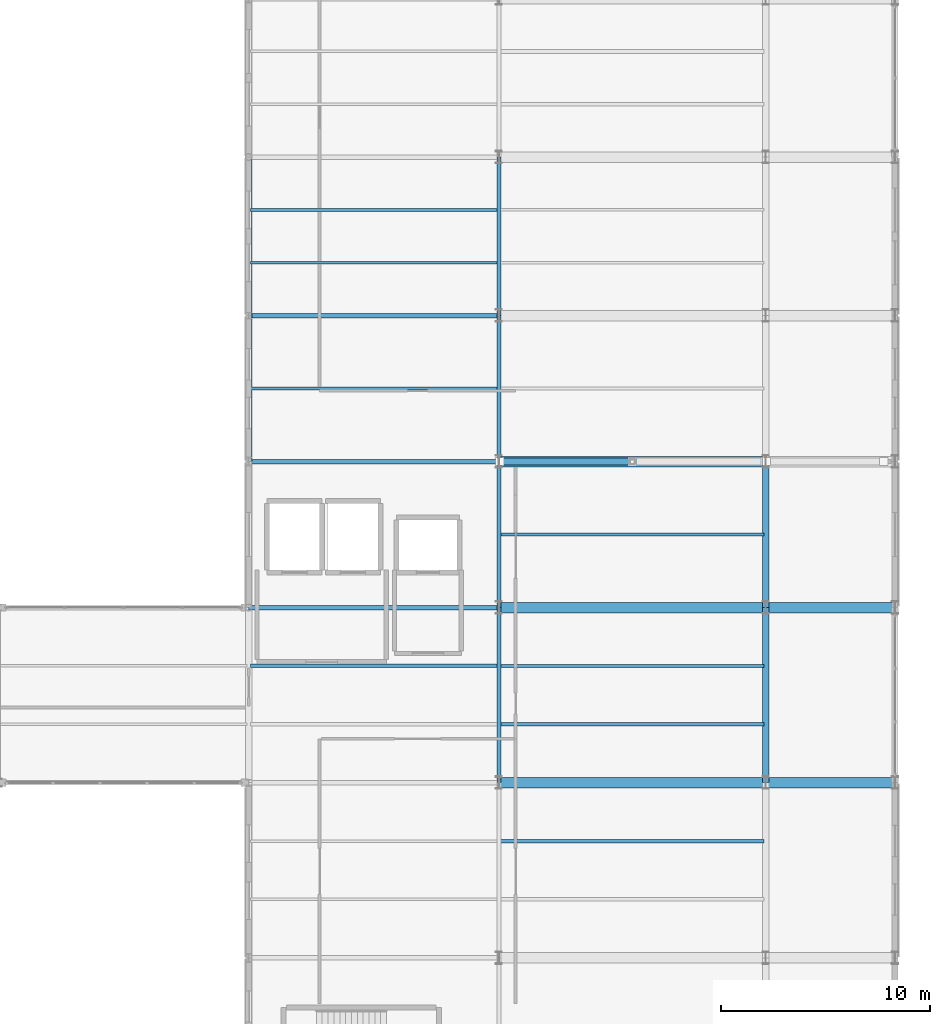
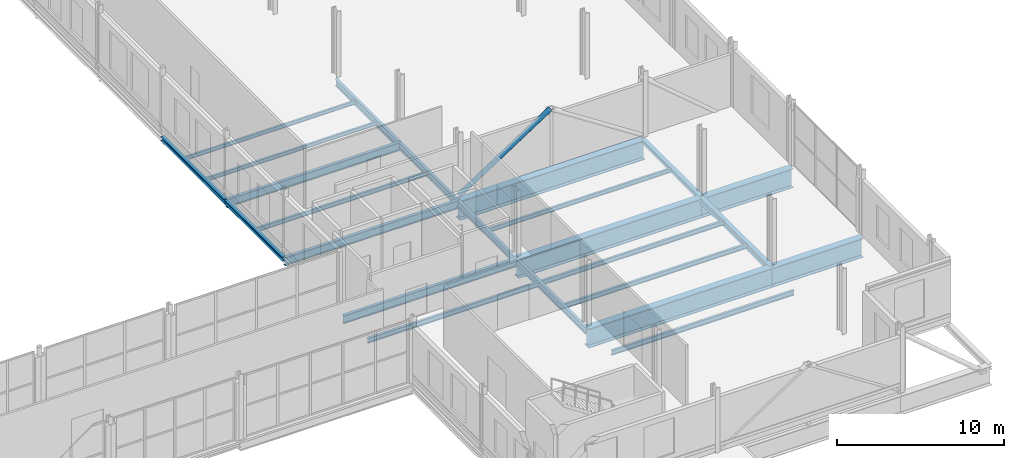
# One storey, part 70 of 120: 24 beams, 1 member.
"""IFC4 building model written with IfcOpenShell, lengths in metres."""

from ifc_helpers import new_model, si_unit, direction, frame, origin, origin_2d, place, context, subcontext, project, spatial, hollow_circle, i_section, extrude, material, material_profile, profile_set, type_object, element, save


model = new_model("IFC4")

# Units and contexts
model_context = context("Model", 3, precision=1e-05, world=origin(), true_north=direction((0.0, 1.0)))
body_context = subcontext(model_context, "Body", "Model", "MODEL_VIEW")
ifc_project = project(units=[si_unit("LENGTHUNIT", "METRE"), si_unit("AREAUNIT", "SQUARE_METRE"), si_unit("VOLUMEUNIT", "CUBIC_METRE"), si_unit("PLANEANGLEUNIT", "RADIAN"), si_unit("MASSUNIT", "GRAM", prefix="KILO")], contexts=[model_context])

# Site, building, storey
site_placement = place(None, origin())
site = spatial("IfcSite", under=ifc_project, at=site_placement, CompositionType="ELEMENT")
building_placement = place(site_placement, origin())
building = spatial("IfcBuilding", under=site, at=building_placement, Name="Vekula Escarpment Museum", CompositionType="ELEMENT")
storey_placement = place(building_placement, frame((0.0, 0.0, 13.199951171875)))
storey = spatial("IfcBuildingStorey", under=building, at=storey_placement, Name="L03", CompositionType="ELEMENT", Elevation=13.199951171875)

# Beams
ifc_material_1 = material(Name="Steel S355", Category="steel")
ifc_material_profile_1 = material_profile(ifc_material_1, i_section(OverallWidth=0.5, OverallDepth=1.39990234375, WebThickness=0.02392578125, FlangeThickness=0.0400390625, FilletRadius=0.02392578125, at=origin_2d()), Name="WPG 1400x500")
ifc_profile_set_1 = profile_set([ifc_material_profile_1], Name="Steel S355")
beam_type_1 = type_object("IfcBeamType", Name="BM-CUMBA-GIRD", PredefinedType="BEAM", material=ifc_profile_set_1)
for number, where, z_axis, x_axis, name in (
    (1, (179.0, 68.0, -0.97998046875), (1.0, 0.0, 0.0), (0.0, 1.0, 0.0), "Beam X L03 1374"),
    (2, (179.0, 76.39990234375, -0.97998046875), (1.0, 0.0, 0.0), (0.0, 1.0, 0.0), "Beam X L03 1396"),
    (3, (179.0, 83.39990234375, -0.97998046875), (1.0, 0.0, 0.0), (0.0, 1.0, 0.0), "Beam X L03 1414"),
):
    element("IfcBeam", number, at=place(storey_placement, frame(where, z_axis=z_axis, x_axis=x_axis)), inside=storey, type_object=beam_type_1, Name=name, PredefinedType="BEAM", context=body_context, shape_type="SweptSolid", body=[
        extrude(i_section(OverallWidth=0.5, OverallDepth=1.39990234375, WebThickness=0.02392578125, FlangeThickness=0.0400390625, FilletRadius=0.02392578125, at=origin_2d()), origin(), (0.0, 0.0, 1.0), 12.800048828125),
    ])
for number, where, z_axis, x_axis, name in (
    (4, (191.800048828125, 68.0, -0.97998046875), (1.0, 0.0, 0.0), (0.0, 1.0, 0.0), "Cumba Cantilever Transfer Girder L03 2365"),
    (5, (191.800048828125, 76.39990234375, -0.97998046875), (1.0, 0.0, 0.0), (0.0, 1.0, 0.0), "Cumba Cantilever Transfer Girder L03 2366"),
):
    element("IfcBeam", number, at=place(storey_placement, frame(where, z_axis=z_axis, x_axis=x_axis)), inside=storey, type_object=beam_type_1, Name=name, PredefinedType="BEAM", context=body_context, shape_type="SweptSolid", body=[
        extrude(i_section(OverallWidth=0.5, OverallDepth=1.39990234375, WebThickness=0.02392578125, FlangeThickness=0.0400390625, FilletRadius=0.02392578125, at=origin_2d()), origin(), (0.0, 0.0, 1.0), 6.199951171875),
    ])
ifc_material_2 = material(Name="Steel S355", Category="steel")
ifc_material_profile_2 = material_profile(ifc_material_2, i_section(OverallWidth=0.199951171875, OverallDepth=0.5, WebThickness=0.01025390625, FlangeThickness=0.01611328125, FilletRadius=0.02099609375, at=origin_2d()), Name="IPE 500")
ifc_profile_set_2 = profile_set([ifc_material_profile_2], Name="Steel S355")
beam_type_2 = type_object("IfcBeamType", Name="BM-GIRD-IPE500", PredefinedType="BEAM", material=ifc_profile_set_2)
beam_1_placement = place(storey_placement, frame((179.0, 68.0, -0.530029296875), z_axis=(0.0, 1.0, 0.0), x_axis=(-1.0, 0.0, 0.0)))
element("IfcBeam", 6, at=beam_1_placement, inside=storey, type_object=beam_type_2, Name="Beam Y L03 1664", PredefinedType="BEAM", context=body_context, shape_type="SweptSolid", body=[
    extrude(i_section(OverallWidth=0.199951171875, OverallDepth=0.5, WebThickness=0.01025390625, FlangeThickness=0.01611328125, FilletRadius=0.02099609375, at=origin_2d()), origin(), (0.0, 0.0, 1.0), 8.39990234375),
])
for number, where, z_axis, x_axis, name in (
    (7, (179.0, 76.39990234375, -0.530029296875), (0.0, 1.0, 0.0), (-1.0, 0.0, 0.0), "Beam Y L03 1665"),
    (8, (179.0, 83.39990234375, -0.530029296875), (0.0, 1.0, 0.0), (-1.0, 0.0, 0.0), "Beam Y L03 1666"),
):
    element("IfcBeam", number, at=place(storey_placement, frame(where, z_axis=z_axis, x_axis=x_axis)), inside=storey, type_object=beam_type_2, Name=name, PredefinedType="BEAM", context=body_context, shape_type="SweptSolid", body=[
        extrude(i_section(OverallWidth=0.199951171875, OverallDepth=0.5, WebThickness=0.01025390625, FlangeThickness=0.01611328125, FilletRadius=0.02099609375, at=origin_2d()), origin(), (0.0, 0.0, 1.0), 7.0),
    ])
beam_2_placement = place(storey_placement, frame((179.0, 90.39990234375, -0.530029296875), z_axis=(0.0, 1.0, 0.0), x_axis=(-1.0, 0.0, 0.0)))
element("IfcBeam", 9, at=beam_2_placement, inside=storey, type_object=beam_type_2, Name="Beam Y L03 1667", PredefinedType="BEAM", context=body_context, shape_type="SweptSolid", body=[
    extrude(i_section(OverallWidth=0.199951171875, OverallDepth=0.5, WebThickness=0.01025390625, FlangeThickness=0.01611328125, FilletRadius=0.02099609375, at=origin_2d()), origin(), (0.0, 0.0, 1.0), 7.60009765625),
])
ifc_material_3 = material(Name="Steel S355", Category="steel")
ifc_material_profile_3 = material_profile(ifc_material_3, i_section(OverallWidth=0.219970703125, OverallDepth=0.60009765625, WebThickness=0.011962890625, FlangeThickness=0.01904296875, FilletRadius=0.02392578125, at=origin_2d()), Name="IPE 600")
ifc_profile_set_3 = profile_set([ifc_material_profile_3], Name="Steel S355")
beam_type_3 = type_object("IfcBeamType", Name="BM-GIRD-IPE600", PredefinedType="BEAM", material=ifc_profile_set_3)
for number, where, z_axis, x_axis, name in (
    (10, (167.0, 76.39990234375, -0.579833984375), (1.0, 0.0, 0.0), (0.0, 1.0, 0.0), "Beam X L03 1395"),
    (11, (167.0, 83.39990234375, -0.579833984375), (1.0, 0.0, 0.0), (0.0, 1.0, 0.0), "Beam X L03 1413"),
    (12, (167.0, 90.39990234375, -0.579833984375), (1.0, 0.0, 0.0), (0.0, 1.0, 0.0), "Beam X L03 1423"),
):
    element("IfcBeam", number, at=place(storey_placement, frame(where, z_axis=z_axis, x_axis=x_axis)), inside=storey, type_object=beam_type_3, Name=name, PredefinedType="BEAM", context=body_context, shape_type="SweptSolid", body=[
        extrude(i_section(OverallWidth=0.219970703125, OverallDepth=0.60009765625, WebThickness=0.011962890625, FlangeThickness=0.01904296875, FilletRadius=0.02392578125, at=origin_2d()), origin(), (0.0, 0.0, 1.0), 12.0),
    ])
ifc_material_4 = material(Name="Steel S355", Category="steel")
ifc_material_profile_4 = material_profile(ifc_material_4, i_section(OverallWidth=0.135009765625, OverallDepth=0.27001953125, WebThickness=0.006591796875, FlangeThickness=0.01025390625, FilletRadius=0.014892578125, at=origin_2d()), Name="IPE 270")
ifc_profile_set_4 = profile_set([ifc_material_profile_4], Name="Steel S355")
beam_type_4 = type_object("IfcBeamType", Name="BM-JST-IPE270", PredefinedType="JOIST", material=ifc_profile_set_4)
for number, where, z_axis, x_axis, name in (
    (13, (167.090087890625, 92.933349609375, -0.4150390625), (1.0, 0.0, 0.0), (0.0, 1.0, 0.0), "Secondary Joist L03 1106"),
    (14, (167.090087890625, 95.466796875, -0.4150390625), (1.0, 0.0, 0.0), (0.0, 1.0, 0.0), "Secondary Joist L03 1107"),
):
    element("IfcBeam", number, at=place(storey_placement, frame(where, z_axis=z_axis, x_axis=x_axis)), inside=storey, type_object=beam_type_4, Name=name, PredefinedType="JOIST", context=body_context, shape_type="SweptSolid", body=[
        extrude(i_section(OverallWidth=0.135009765625, OverallDepth=0.27001953125, WebThickness=0.006591796875, FlangeThickness=0.01025390625, FilletRadius=0.014892578125, at=origin_2d()), origin(), (0.0, 0.0, 1.0), 11.81982421875),
    ])
ifc_material_5 = material(Name="Steel S355", Category="steel")
ifc_material_profile_5 = material_profile(ifc_material_5, i_section(OverallWidth=0.14990234375, OverallDepth=0.300048828125, WebThickness=0.007080078125, FlangeThickness=0.0107421875, FilletRadius=0.014892578125, at=origin_2d()), Name="IPE 300")
ifc_profile_set_5 = profile_set([ifc_material_profile_5], Name="Steel S355")
beam_type_5 = type_object("IfcBeamType", Name="BM-JST-IPE300", PredefinedType="JOIST", material=ifc_profile_set_5)
beam_3_placement = place(storey_placement, frame((167.090087890625, 86.89990234375, -0.429931640625), z_axis=(1.0, 0.0, 0.0), x_axis=(0.0, 1.0, 0.0)))
element("IfcBeam", 15, at=beam_3_placement, inside=storey, type_object=beam_type_5, Name="Secondary Joist L03 1105", PredefinedType="JOIST", context=body_context, shape_type="SweptSolid", body=[
    extrude(i_section(OverallWidth=0.14990234375, OverallDepth=0.300048828125, WebThickness=0.007080078125, FlangeThickness=0.0107421875, FilletRadius=0.014892578125, at=origin_2d()), origin(), (0.0, 0.0, 1.0), 11.81982421875),
])
beam_4_placement = place(storey_placement, frame((179.090087890625, 79.89990234375, -0.429931640625), z_axis=(1.0, 0.0, 0.0), x_axis=(0.0, 1.0, 0.0)))
element("IfcBeam", 16, at=beam_4_placement, inside=storey, type_object=beam_type_5, Name="Secondary Joist L03 1121", PredefinedType="JOIST", context=body_context, shape_type="SweptSolid", body=[
    extrude(i_section(OverallWidth=0.14990234375, OverallDepth=0.300048828125, WebThickness=0.007080078125, FlangeThickness=0.0107421875, FilletRadius=0.014892578125, at=origin_2d()), origin(), (0.0, 0.0, 1.0), 12.619873046875),
])
ifc_material_6 = material(Name="Steel S355", Category="steel")
ifc_material_profile_6 = material_profile(ifc_material_6, i_section(OverallWidth=0.159912109375, OverallDepth=0.330078125, WebThickness=0.007568359375, FlangeThickness=0.011474609375, FilletRadius=0.01806640625, at=origin_2d()), Name="IPE 330")
ifc_profile_set_6 = profile_set([ifc_material_profile_6], Name="Steel S355")
beam_type_6 = type_object("IfcBeamType", Name="BM-JST-IPE330", PredefinedType="JOIST", material=ifc_profile_set_6)
for number, where, z_axis, x_axis, name in (
    (17, (179.090087890625, 70.800048828125, -0.445068359375), (1.0, 0.0, 0.0), (0.0, 1.0, 0.0), "Secondary Joist L03 1119"),
    (18, (179.090087890625, 73.60009765625, -0.445068359375), (1.0, 0.0, 0.0), (0.0, 1.0, 0.0), "Secondary Joist L03 1120"),
):
    element("IfcBeam", number, at=place(storey_placement, frame(where, z_axis=z_axis, x_axis=x_axis)), inside=storey, type_object=beam_type_6, Name=name, PredefinedType="JOIST", context=body_context, shape_type="SweptSolid", body=[
        extrude(i_section(OverallWidth=0.159912109375, OverallDepth=0.330078125, WebThickness=0.007568359375, FlangeThickness=0.011474609375, FilletRadius=0.01806640625, at=origin_2d()), origin(), (0.0, 0.0, 1.0), 12.619873046875),
    ])
ifc_material_7 = material(Name="Steel S355", Category="steel")
ifc_material_profile_7 = material_profile(ifc_material_7, i_section(OverallWidth=0.169921875, OverallDepth=0.360107421875, WebThickness=0.008056640625, FlangeThickness=0.0126953125, FilletRadius=0.01806640625, at=origin_2d()), Name="IPE 360")
ifc_profile_set_7 = profile_set([ifc_material_profile_7], Name="Steel S355")
beam_type_7 = type_object("IfcBeamType", Name="BM-JST-IPE360", PredefinedType="JOIST", material=ifc_profile_set_7)
beam_5_placement = place(storey_placement, frame((167.090087890625, 73.60009765625, -0.4599609375), z_axis=(1.0, 0.0, 0.0), x_axis=(0.0, 1.0, 0.0)))
element("IfcBeam", 19, at=beam_5_placement, inside=storey, type_object=beam_type_7, Name="Secondary Joist L03 1104", PredefinedType="JOIST", context=body_context, shape_type="SweptSolid", body=[
    extrude(i_section(OverallWidth=0.169921875, OverallDepth=0.360107421875, WebThickness=0.008056640625, FlangeThickness=0.0126953125, FilletRadius=0.01806640625, at=origin_2d()), origin(), (0.0, 0.0, 1.0), 11.81982421875),
])
beam_6_placement = place(storey_placement, frame((179.090087890625, 65.199951171875, -0.4599609375), z_axis=(1.0, 0.0, 0.0), x_axis=(0.0, 1.0, 0.0)))
element("IfcBeam", 20, at=beam_6_placement, inside=storey, type_object=beam_type_7, Name="Secondary Joist L03 1118", PredefinedType="JOIST", context=body_context, shape_type="SweptSolid", body=[
    extrude(i_section(OverallWidth=0.169921875, OverallDepth=0.360107421875, WebThickness=0.008056640625, FlangeThickness=0.0126953125, FilletRadius=0.01806640625, at=origin_2d()), origin(), (0.0, 0.0, 1.0), 12.619873046875),
])
ifc_material_8 = material(Name="Steel S355", Category="steel")
ifc_material_profile_8 = material_profile(ifc_material_8, i_section(OverallWidth=0.300048828125, OverallDepth=0.2900390625, WebThickness=0.008544921875, FlangeThickness=0.013916015625, FilletRadius=0.027099609375, at=origin_2d()), Name="HEA 300")
ifc_profile_set_8 = profile_set([ifc_material_profile_8], Name="Steel S355")
beam_type_8 = type_object("IfcBeamType", Name="BM-SPAN-HEA300", PredefinedType="SPANDREL", material=ifc_profile_set_8)
beam_7_placement = place(storey_placement, frame((167.0, 83.39990234375, -0.425048828125), z_axis=(0.0, 1.0, 0.0), x_axis=(-1.0, 0.0, 0.0)))
element("IfcBeam", 21, at=beam_7_placement, inside=storey, type_object=beam_type_8, Name="Beam Y L03 1650", PredefinedType="SPANDREL", context=body_context, shape_type="SweptSolid", body=[
    extrude(i_section(OverallWidth=0.300048828125, OverallDepth=0.2900390625, WebThickness=0.008544921875, FlangeThickness=0.013916015625, FilletRadius=0.027099609375, at=origin_2d()), origin(), (0.0, 0.0, 1.0), 7.0),
])
beam_8_placement = place(storey_placement, frame((167.0, 90.39990234375, -0.425048828125), z_axis=(0.0, 1.0, 0.0), x_axis=(-1.0, 0.0, 0.0)))
element("IfcBeam", 22, at=beam_8_placement, inside=storey, type_object=beam_type_8, Name="Beam Y L03 1651", PredefinedType="SPANDREL", context=body_context, shape_type="SweptSolid", body=[
    extrude(i_section(OverallWidth=0.300048828125, OverallDepth=0.2900390625, WebThickness=0.008544921875, FlangeThickness=0.013916015625, FilletRadius=0.027099609375, at=origin_2d()), origin(), (0.0, 0.0, 1.0), 7.60009765625),
])
beam_9_placement = place(storey_placement, frame((191.800048828125, 76.39990234375, -0.425048828125), z_axis=(0.0, 1.0, 0.0), x_axis=(-1.0, 0.0, 0.0)))
element("IfcBeam", 23, at=beam_9_placement, inside=storey, type_object=beam_type_8, Name="Beam Y L03 1676", PredefinedType="SPANDREL", context=body_context, shape_type="SweptSolid", body=[
    extrude(i_section(OverallWidth=0.300048828125, OverallDepth=0.2900390625, WebThickness=0.008544921875, FlangeThickness=0.013916015625, FilletRadius=0.027099609375, at=origin_2d()), origin(), (0.0, 0.0, 1.0), 7.0),
])
ifc_material_9 = material(Name="Steel S355", Category="steel")
ifc_material_profile_9 = material_profile(ifc_material_9, i_section(OverallWidth=0.300048828125, OverallDepth=0.43994140625, WebThickness=0.011474609375, FlangeThickness=0.02099609375, FilletRadius=0.027099609375, at=origin_2d()), Name="HEA 450")
ifc_profile_set_9 = profile_set([ifc_material_profile_9], Name="Steel S355")
beam_type_9 = type_object("IfcBeamType", Name="BM-SPAN-HEA450", PredefinedType="SPANDREL", material=ifc_profile_set_9)
beam_10_placement = place(storey_placement, frame((191.800048828125, 68.0, -0.5), z_axis=(0.0, 1.0, 0.0), x_axis=(-1.0, 0.0, 0.0)))
element("IfcBeam", 24, at=beam_10_placement, inside=storey, type_object=beam_type_9, Name="Beam Y L03 1675", PredefinedType="SPANDREL", context=body_context, shape_type="SweptSolid", body=[
    extrude(i_section(OverallWidth=0.300048828125, OverallDepth=0.43994140625, WebThickness=0.011474609375, FlangeThickness=0.02099609375, FilletRadius=0.027099609375, at=origin_2d()), origin(), (0.0, 0.0, 1.0), 8.39990234375),
])

# Member
ifc_material_10 = material(Name="Steel S355", Category="steel")
ifc_material_profile_10 = material_profile(ifc_material_10, hollow_circle(Radius=0.161865234375, WallThickness=0.01611328125, at=origin_2d()), Name="CHS 323.9x16")
ifc_profile_set_10 = profile_set([ifc_material_profile_10], Name="Steel S355")
member_type = type_object("IfcMemberType", Name="MB-PRATT-DIAG", PredefinedType="BRACE", material=ifc_profile_set_10)
member_placement = place(storey_placement, frame((179.050048828125, 83.39990234375, 0.02001953125), z_axis=(0.838279367684, 0.0, 0.545240957481), x_axis=(0.0, 1.0, 0.0)))
element("IfcMember", 25, at=member_placement, inside=storey, type_object=member_type, Name="Transfer Truss Back-Span Diagonal 02B1", PredefinedType="BRACE", context=body_context, shape_type="SweptSolid", body=[
    extrude(hollow_circle(Radius=0.161865234375, WallThickness=0.01611328125, at=origin_2d()), origin(), (0.0, 0.0, 1.0), 7.574951171875),
])

save(model, "model.ifc")
